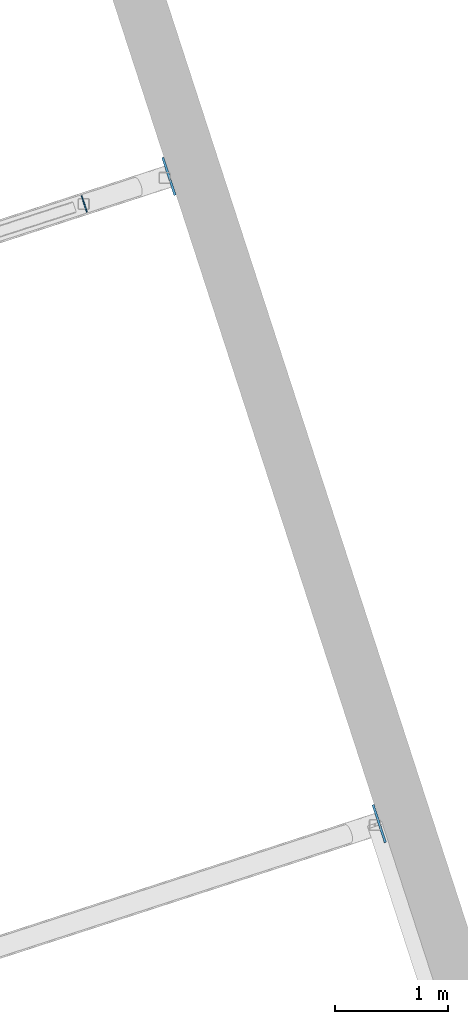
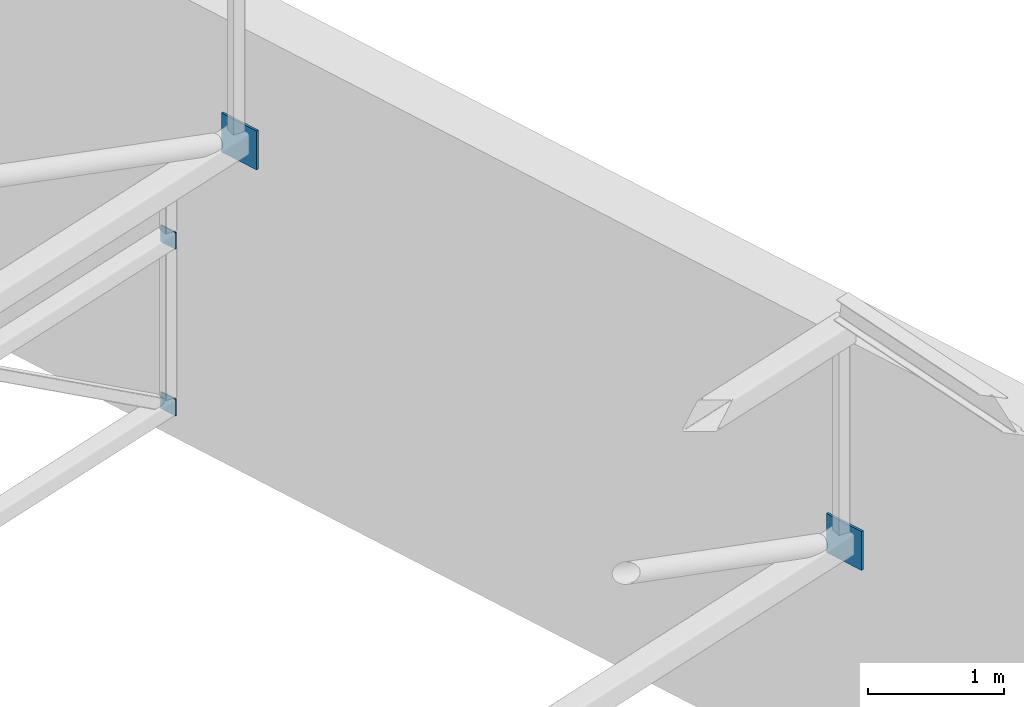
# One storey, part 68 of 81: 4 plates.
"""IFC4 building model written with IfcOpenShell, lengths in metres."""

from ifc_helpers import new_model, si_unit, direction, frame, origin, place, context, subcontext, project, spatial, polyline, outline, extrude, material, layer, layer_set, type_object, element, save


model = new_model("IFC4")

# Units and contexts
model_context = context("Model", 3, precision=1e-05, world=origin(), true_north=direction((0.0, 1.0)))
body_context = subcontext(model_context, "Body", "Model", "MODEL_VIEW")
ifc_project = project(units=[si_unit("LENGTHUNIT", "METRE"), si_unit("AREAUNIT", "SQUARE_METRE"), si_unit("VOLUMEUNIT", "CUBIC_METRE"), si_unit("PLANEANGLEUNIT", "RADIAN"), si_unit("MASSUNIT", "GRAM", prefix="KILO")], contexts=[model_context])

# Site, building, storey
site_placement = place(None, origin())
site = spatial("IfcSite", under=ifc_project, at=site_placement, CompositionType="ELEMENT")
building_placement = place(site_placement, origin())
building = spatial("IfcBuilding", under=site, at=building_placement, Name="Tuart Plaza Theatre", CompositionType="ELEMENT")
storey_placement = place(building_placement, frame((0.0, 0.0, 17.5)))
storey = spatial("IfcBuildingStorey", under=building, at=storey_placement, Name="L04", CompositionType="ELEMENT", Elevation=17.5)

# Plates
ifc_material_1 = material(Name="Steel Grade 300", Category="steel")
ifc_layer_1 = layer(ifc_material_1, 0.02001953125)
ifc_layer_set_1 = layer_set([ifc_layer_1], Name="PLATE Cast-in 20 Steel Grade 300")
plate_type_1 = type_object("IfcPlateType", Name="PLATE Cast-in 20 Steel Grade 300", PredefinedType="SHEET", material=ifc_layer_set_1)
plate_1_placement = place(storey_placement, frame((76.474609375, 53.572509765625, 2.3623046875), z_axis=(-0.951028941009, -0.309101849499, 0.0), x_axis=(-0.309101849499, 0.951028941009, 0.0)))
element("IfcPlate", 1, at=plate_1_placement, inside=storey, type_object=plate_type_1, Name="CI2", PredefinedType="SHEET", context=body_context, shape_type="SweptSolid", body=[
    extrude(outline(polyline([(0.0, 0.0), (0.34989857566480365, 0.0), (0.34989857566480365, 0.35009765625), (0.0, 0.35009765625), (0.0, 0.0)])), origin(), (0.0, 0.0, -1.0), 0.02001953125),
])
plate_2_placement = place(storey_placement, frame((74.62060546875, 59.27880859375, 3.154541015625), z_axis=(-0.951095540201, -0.308896865329, 0.0), x_axis=(-0.308896865329, 0.951095540201, 0.0)))
element("IfcPlate", 2, at=plate_2_placement, inside=storey, type_object=plate_type_1, Name="CI4", PredefinedType="SHEET", context=body_context, shape_type="SweptSolid", body=[
    extrude(outline(polyline([(0.0, 0.0), (0.35013076859733533, 0.0), (0.35013076859733533, 0.35009765625000006), (0.0, 0.35009765625000006), (0.0, 0.0)])), origin(), (0.0, 0.0, -1.0), 0.02001953125),
])
ifc_material_2 = material(Name="Steel Grade C350L0", Category="steel")
ifc_layer_2 = layer(ifc_material_2, 0.010009765625)
ifc_layer_set_2 = layer_set([ifc_layer_2], Name="PLATE End cap 10 Steel Grade C350L0")
plate_type_2 = type_object("IfcPlateType", Name="PLATE End cap 10 Steel Grade C350L0", PredefinedType="SHEET", material=ifc_layer_set_2)
for number, where, z_axis, x_axis, name in (
    (3, (73.857421875, 59.135986328125, 0.949462890625), (0.950938293792, 0.309380609282, 0.0), (-0.309380609282, 0.950938293792, 0.0), "EP34"),
    (4, (73.857421875, 59.135986328125, 2.449462890625), (0.950938293792, 0.309380609282, 0.0), (-0.309380609282, 0.950938293792, 0.0), "EP36"),
):
    element("IfcPlate", number, at=place(storey_placement, frame(where, z_axis=z_axis, x_axis=x_axis)), inside=storey, type_object=plate_type_2, Name=name, PredefinedType="SHEET", context=body_context, shape_type="SweptSolid", body=[
        extrude(outline(polyline([(0.0, 0.0), (0.14993415022904966, 0.0), (0.14993415022904966, 0.14990234375000003), (0.0, 0.14990234375000003), (0.0, 0.0)])), origin(), (0.0, 0.0, -1.0), 0.010009765625),
    ])

save(model, "model.ifc")
